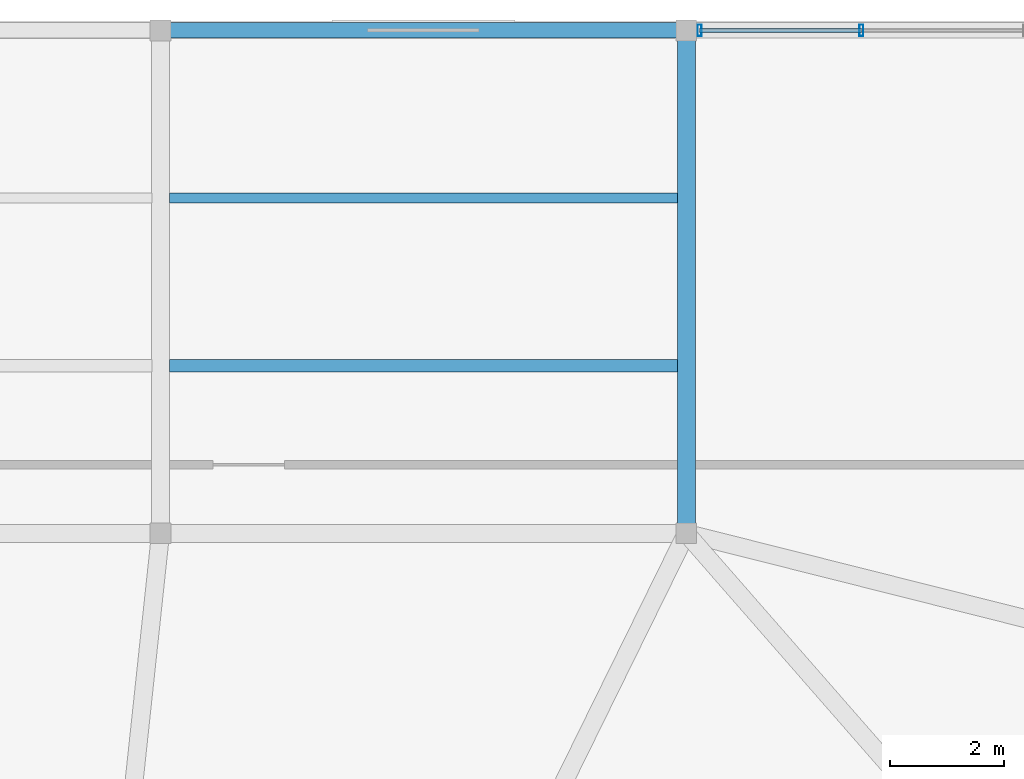
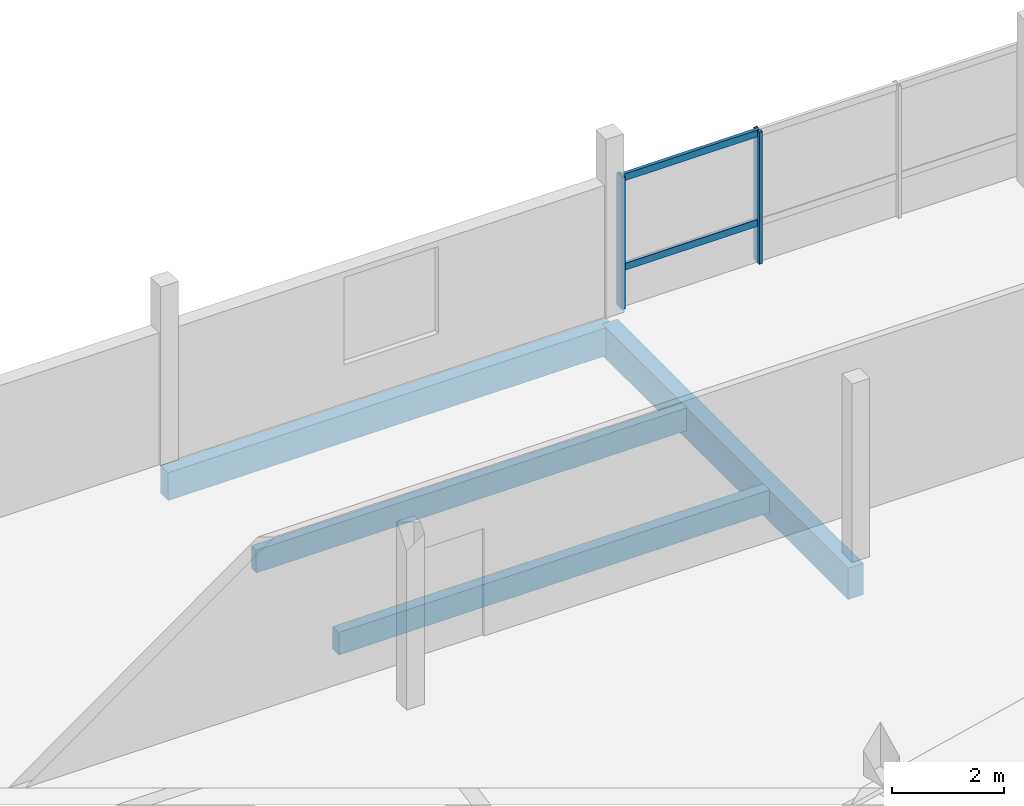
# One storey, part 27 of 39: 4 beams, 4 members, 1 element without a shape of its own.
"""IFC4 building model written with IfcOpenShell, lengths in metres."""

from ifc_helpers import new_model, si_unit, direction, frame, origin, origin_2d, place, context, subcontext, project, spatial, rectangle, hollow_rectangle, extrude, material, layer, layer_set, material_profile, profile_set, type_object, element, aggregate, save


model = new_model("IFC4")

# Units and contexts
model_context = context("Model", 3, precision=1e-05, world=origin(), true_north=direction((0.0, 1.0)))
body_context = subcontext(model_context, "Body", "Model", "MODEL_VIEW")
ifc_project = project(units=[si_unit("LENGTHUNIT", "METRE"), si_unit("AREAUNIT", "SQUARE_METRE"), si_unit("VOLUMEUNIT", "CUBIC_METRE"), si_unit("PLANEANGLEUNIT", "RADIAN"), si_unit("MASSUNIT", "GRAM", prefix="KILO")], contexts=[model_context])

# Site, building, storey
site_placement = place(None, origin())
site = spatial("IfcSite", under=ifc_project, at=site_placement, CompositionType="ELEMENT")
building_placement = place(site_placement, origin())
building = spatial("IfcBuilding", under=site, at=building_placement, Name="Meriwether Solvik Hall", CompositionType="ELEMENT")
storey_placement = place(building_placement, frame((0.0, 0.0, 22.199951171875)))
storey = spatial("IfcBuildingStorey", under=building, at=storey_placement, Name="L05", CompositionType="ELEMENT", Elevation=22.199951171875)

# Beams
ifc_material_1 = material(Name="Glulam Douglas-Fir 24F-V8 GL28h", Category="wood")
ifc_material_profile_1 = material_profile(ifc_material_1, rectangle(XDim=0.27294921875, YDim=0.610107421875, at=origin_2d()), Name="GLB-273X610")
ifc_profile_set_1 = profile_set([ifc_material_profile_1], Name="Glulam Douglas-Fir 24F-V8 GL28h")
beam_type_1 = type_object("IfcBeamType", Name="BM-GL-273X610", PredefinedType="SPANDREL", material=ifc_profile_set_1)
beam_1_placement = place(storey_placement, frame((68.60009765625, 92.800048828125, -0.550048828125), z_axis=(1.0, 0.0, 0.0), x_axis=(0.0, 1.0, 0.0)))
element("IfcBeam", 1, at=beam_1_placement, inside=storey, type_object=beam_type_1, Name="Podium Girder K:8-9 (L05)", PredefinedType="SPANDREL", context=body_context, shape_type="SweptSolid", body=[
    extrude(rectangle(XDim=0.27294921875, YDim=0.610107421875, at=origin_2d()), origin(), (0.0, 0.0, 1.0), 9.199951171875),
])
ifc_material_2 = material(Name="Glulam Douglas-Fir 24F-V8 GL28h", Category="wood")
ifc_material_profile_2 = material_profile(ifc_material_2, rectangle(XDim=0.31494140625, YDim=0.68505859375, at=origin_2d()), Name="GLB-315X685")
ifc_profile_set_2 = profile_set([ifc_material_profile_2], Name="Glulam Douglas-Fir 24F-V8 GL28h")
beam_type_2 = type_object("IfcBeamType", Name="BM-GL-315X685", PredefinedType="BEAM", material=ifc_profile_set_2)
beam_2_placement = place(storey_placement, frame((77.800048828125, 84.0, -0.58740234375), z_axis=(0.0, 1.0, 0.0), x_axis=(-1.0, 0.0, 0.0)))
element("IfcBeam", 2, at=beam_2_placement, inside=storey, type_object=beam_type_2, Name="Podium Girder 9:J-K (L05)", PredefinedType="BEAM", context=body_context, shape_type="SweptSolid", body=[
    extrude(rectangle(XDim=0.31494140625, YDim=0.68505859375, at=origin_2d()), origin(), (0.0, 0.0, 1.0), 8.800048828125),
])

# Curtain wall, members
ifc_material_3 = material(Name="Thermally Broken Anodised Aluminium 6063-T6 and Low-E Glass", Category="aluminium")
ifc_layer = layer(ifc_material_3, 0.179931640625)
ifc_layer_set = layer_set([ifc_layer], Name="Thermally Broken Anodised Aluminium 6063-T6 and Low-E Glass")
curtain_wall_type = type_object("IfcCurtainWallType", Name="CW-UNIT-E", PredefinedType="USERDEFINED", material=ifc_layer_set)
curtain_wall_placement = place(storey_placement, origin())
curtain_wall = element("IfcCurtainWall", 3, at=curtain_wall_placement, inside=storey, type_object=curtain_wall_type, Name="Curtain Wall wing_XK_9_8 (L05)", ObjectType="UNITISED CURTAIN WALL", PredefinedType="USERDEFINED")
ifc_material_4 = material(Name="Anodised Aluminium 6063-T6", Category="aluminium")
ifc_material_profile_3 = material_profile(ifc_material_4, hollow_rectangle(XDim=0.070068359375, YDim=0.199951171875, WallThickness=0.0048828125, at=origin_2d()), Name="CWM-70X200")
ifc_profile_set_3 = profile_set([ifc_material_profile_3], Name="Anodised Aluminium 6063-T6")
member_type_1 = type_object("IfcMemberType", Name="CW-MUL-70X200", PredefinedType="MULLION", material=ifc_profile_set_3)
member_1_placement = place(storey_placement, frame((78.032470703125, 92.800048828125, 0.0), z_axis=(0.0, 0.0, 1.0), x_axis=(1.0, 0.0, 0.0)))
member_1 = element("IfcMember", 4, at=member_1_placement, type_object=member_type_1, Name="Curtain Wall Mullion 1", PredefinedType="MULLION", context=body_context, shape_type="SweptSolid", body=[
    extrude(hollow_rectangle(XDim=0.070068359375, YDim=0.199951171875, WallThickness=0.0048828125, at=origin_2d()), origin(), (0.0, 0.0, 1.0), 2.880126953125),
])
member_2_placement = place(storey_placement, frame((80.86474609375, 92.800048828125, 0.0), z_axis=(0.0, 0.0, 1.0), x_axis=(1.0, 0.0, 0.0)))
member_2 = element("IfcMember", 5, at=member_2_placement, type_object=member_type_1, Name="Curtain Wall Mullion 2", PredefinedType="MULLION", context=body_context, shape_type="SweptSolid", body=[
    extrude(hollow_rectangle(XDim=0.070068359375, YDim=0.199951171875, WallThickness=0.0048828125, at=origin_2d()), origin(), (0.0, 0.0, 1.0), 2.880126953125),
])
ifc_material_5 = material(Name="Anodised Aluminium 6063-T6", Category="aluminium")
ifc_material_profile_4 = material_profile(ifc_material_5, hollow_rectangle(XDim=0.070068359375, YDim=0.14990234375, WallThickness=0.0048828125, at=origin_2d()), Name="CWT-70X150")
ifc_profile_set_4 = profile_set([ifc_material_profile_4], Name="Anodised Aluminium 6063-T6")
member_type_2 = type_object("IfcMemberType", Name="CW-TRN-70X150", PredefinedType="USERDEFINED", material=ifc_profile_set_4)
member_3_placement = place(storey_placement, frame((78.032470703125, 92.800048828125, 0.864013671875), z_axis=(1.0, 0.0, 0.0), x_axis=(0.0, 1.0, 0.0)))
member_3 = element("IfcMember", 6, at=member_3_placement, type_object=member_type_2, Name="Curtain Wall Transom 1-sill", ObjectType="TRANSOM", PredefinedType="USERDEFINED", context=body_context, shape_type="SweptSolid", body=[
    extrude(hollow_rectangle(XDim=0.070068359375, YDim=0.14990234375, WallThickness=0.0048828125, at=origin_2d()), origin(), (0.0, 0.0, 1.0), 2.832275390625),
])
member_4_placement = place(storey_placement, frame((78.032470703125, 92.800048828125, 2.820068359375), z_axis=(1.0, 0.0, 0.0), x_axis=(0.0, 1.0, 0.0)))
member_4 = element("IfcMember", 7, at=member_4_placement, type_object=member_type_2, Name="Curtain Wall Transom 1-head", ObjectType="TRANSOM", PredefinedType="USERDEFINED", context=body_context, shape_type="SweptSolid", body=[
    extrude(hollow_rectangle(XDim=0.070068359375, YDim=0.14990234375, WallThickness=0.0048828125, at=origin_2d()), origin(), (0.0, 0.0, 1.0), 2.832275390625),
])
aggregate(curtain_wall, [member_1, member_2, member_3, member_4])

# Beams
ifc_material_6 = material(Name="Glulam Douglas-Fir 24F-V8 GL28h", Category="wood")
ifc_material_profile_5 = material_profile(ifc_material_6, rectangle(XDim=0.175048828125, YDim=0.4951171875, at=origin_2d()), Name="GLJ-175X495")
ifc_profile_set_5 = profile_set([ifc_material_profile_5], Name="Glulam Douglas-Fir 24F-V8 GL28h")
beam_type_3 = type_object("IfcBeamType", Name="JST-GL-175X495", PredefinedType="JOIST", material=ifc_profile_set_5)
beam_3_placement = place(storey_placement, frame((68.75244140625, 89.86669921875, -0.492431640625), z_axis=(1.0, 0.0, 0.0), x_axis=(0.0, 1.0, 0.0)))
element("IfcBeam", 8, at=beam_3_placement, inside=storey, type_object=beam_type_3, Name="Secondary Floor Joist 8/J_J2 (L05)", PredefinedType="JOIST", context=body_context, shape_type="SweptSolid", body=[
    extrude(rectangle(XDim=0.175048828125, YDim=0.4951171875, at=origin_2d()), origin(), (0.0, 0.0, 1.0), 8.89501953125),
])
ifc_material_7 = material(Name="Glulam Douglas-Fir 24F-V8 GL28h", Category="wood")
ifc_material_profile_6 = material_profile(ifc_material_7, rectangle(XDim=0.221923828125, YDim=0.4951171875, at=origin_2d()), Name="GLJ-222X495")
ifc_profile_set_6 = profile_set([ifc_material_profile_6], Name="Glulam Douglas-Fir 24F-V8 GL28h")
beam_type_4 = type_object("IfcBeamType", Name="JST-GL-222X495", PredefinedType="JOIST", material=ifc_profile_set_6)
beam_4_placement = place(storey_placement, frame((68.75244140625, 86.933349609375, -0.492431640625), z_axis=(1.0, 0.0, 0.0), x_axis=(0.0, 1.0, 0.0)))
element("IfcBeam", 9, at=beam_4_placement, inside=storey, type_object=beam_type_4, Name="Secondary Floor Joist 8/J_J1 (L05)", PredefinedType="JOIST", context=body_context, shape_type="SweptSolid", body=[
    extrude(rectangle(XDim=0.221923828125, YDim=0.4951171875, at=origin_2d()), origin(), (0.0, 0.0, 1.0), 8.89501953125),
])

save(model, "model.ifc")
